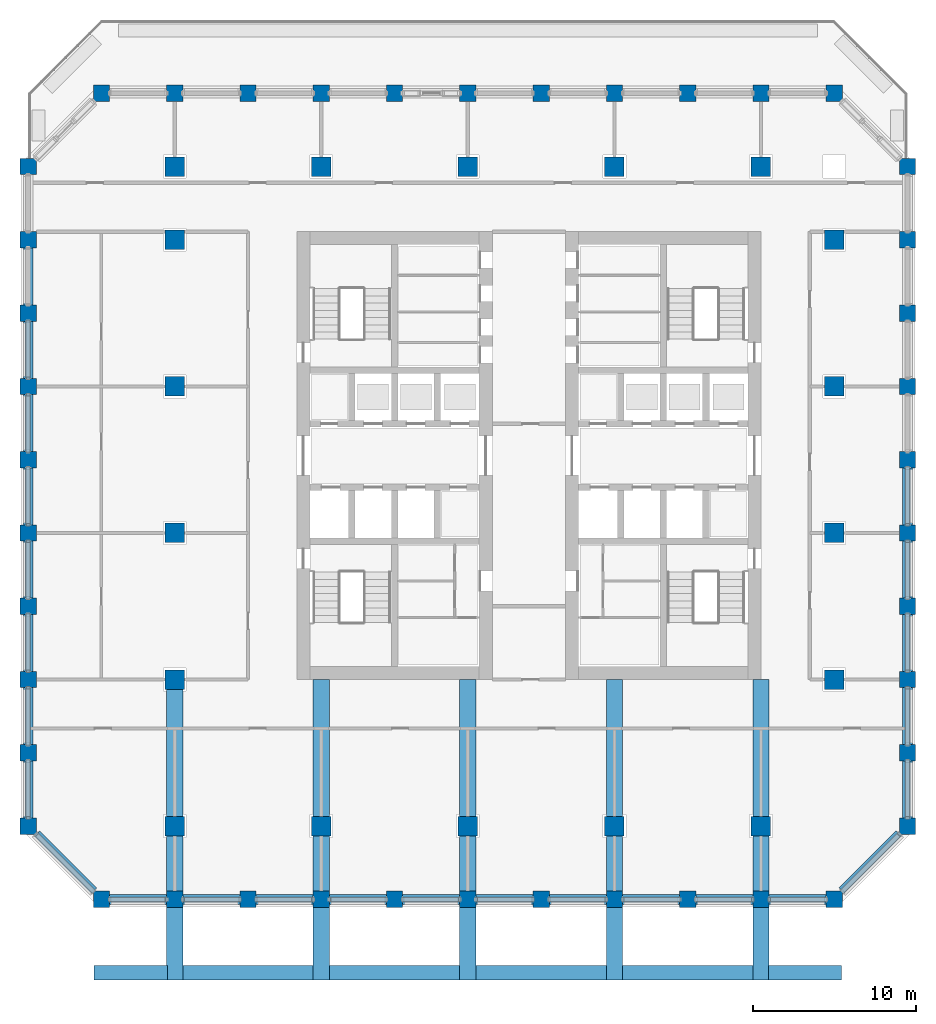
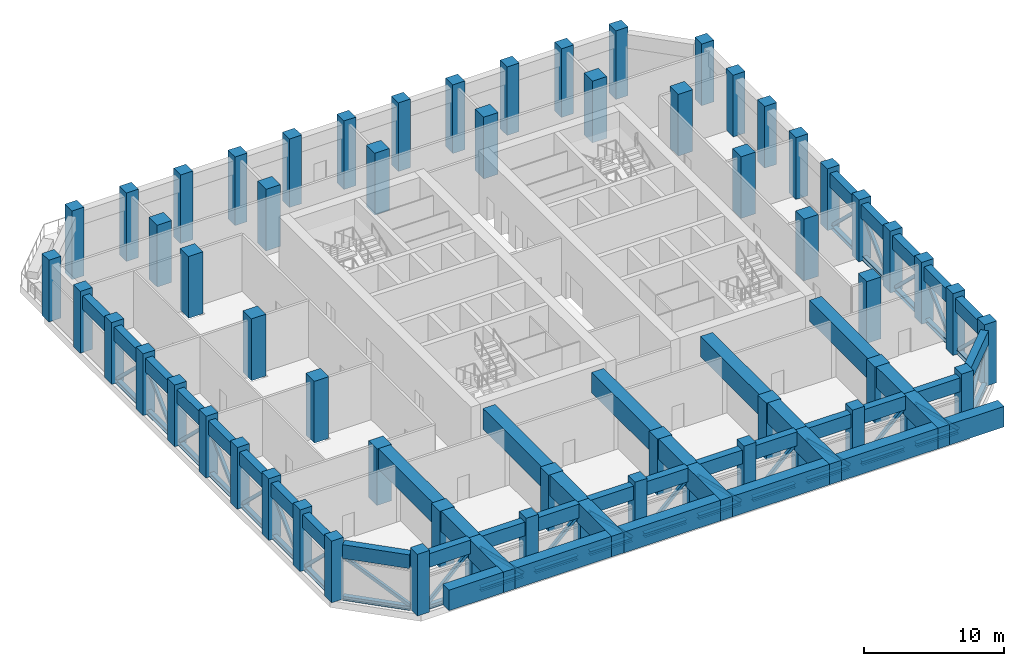
# One storey, part 1 of 20: 60 columns, 48 members, 41 beams.
"""IFC4 building model written with IfcOpenShell, lengths in metres."""

import ifcopenshell
import ifcopenshell.guid

model = None  # the IFC model being written
_history = None  # IfcOwnerHistory: only IFC2X3 demands one
_inside = {}  # id of a spatial element -> (the spatial element, [elements in it])
_under = {}  # id of a project, library or spatial element -> (it, [spatial elements below it])
_declared = {}  # id of a project -> (the project, [libraries it declares])
_typed = {}  # id of a type object -> (the type object, [elements of that type])
_made_of = {}  # id of a material, layer set ... -> (it, [elements and type objects made of it])


def new_model(schema):
    """Start an empty IFC model of exactly this schema.

    Asked for "IFC4X3", IfcOpenShell would pick the latest addendum, in which some entities
    have other attributes; the version numbers below select the first issue.
    IFC2X3 requires an IfcOwnerHistory on every rooted entity: one is made here for all.
    """
    global model, _history
    if schema == "IFC4X3":
        model = ifcopenshell.file(schema_version=(4, 3, 0, 0))
    else:
        model = ifcopenshell.file(schema=schema)
    _inside.clear()
    _under.clear()
    _declared.clear()
    _typed.clear()
    _made_of.clear()
    _history = None
    if model.schema == "IFC2X3":
        org = make("IfcOrganization", Name="unknown")
        user = make(
            "IfcPersonAndOrganization",
            ThePerson=make("IfcPerson", FamilyName="unknown"),
            TheOrganization=org,
        )
        app = make(
            "IfcApplication",
            ApplicationDeveloper=org,
            Version="unknown",
            ApplicationFullName="unknown",
            ApplicationIdentifier="unknown",
        )
        _history = make(
            "IfcOwnerHistory",
            OwningUser=user,
            OwningApplication=app,
            ChangeAction="ADDED",
            CreationDate=0,
        )
    return model


def make(cls, **values):
    """One entity of the class cls with the attributes given. An attribute that is None is left unset."""
    return model.create_entity(
        cls, **{name: value for name, value in values.items() if value is not None}
    )


def rooted(cls, **values):
    """An entity with a GlobalId (a new one), such as an element, a storey or a relation."""
    return make(cls, GlobalId=ifcopenshell.guid.new(), OwnerHistory=_history, **values)


def si_unit(unit_type, name, prefix=None):
    """IfcSIUnit, for example si_unit("LENGTHUNIT", "METRE", prefix="MILLI")."""
    return make("IfcSIUnit", UnitType=unit_type, Prefix=prefix, Name=name)


def assignment(units):
    """IfcUnitAssignment: the units of a project."""
    return None if units is None else make("IfcUnitAssignment", Units=units)


def point(xyz):
    """IfcCartesianPoint."""
    return None if xyz is None else make("IfcCartesianPoint", Coordinates=xyz)


def direction(xyz):
    """IfcDirection."""
    return None if xyz is None else make("IfcDirection", DirectionRatios=xyz)


def frame(location, z_axis=None, x_axis=None):
    """IfcAxis2Placement3D, a coordinate frame: its origin and axes. An axis left out is left unset."""
    return make(
        "IfcAxis2Placement3D",
        Location=point(location),
        Axis=direction(z_axis),
        RefDirection=direction(x_axis),
    )


def frame_2d(location, x_axis=None):
    """IfcAxis2Placement2D, a coordinate frame in the plane: its origin and x axis."""
    return make(
        "IfcAxis2Placement2D", Location=point(location), RefDirection=direction(x_axis)
    )


def origin():
    """The frame at (0, 0, 0) with its axes left unset."""
    return frame((0.0, 0.0, 0.0))


def origin_2d():
    """The frame at (0, 0) in the plane with its x axis left unset."""
    return frame_2d((0.0, 0.0))


def place(relative_to, where):
    """IfcLocalPlacement: puts the frame where relative to a parent placement (None: the world)."""
    return make(
        "IfcLocalPlacement", PlacementRelTo=relative_to, RelativePlacement=where
    )


def context(
    kind, dimensions, precision=None, world=None, true_north=None, identifier=None
):
    """IfcGeometricRepresentationContext, for example the 3D "Model" context."""
    return make(
        "IfcGeometricRepresentationContext",
        ContextIdentifier=identifier,
        ContextType=kind,
        CoordinateSpaceDimension=dimensions,
        Precision=precision,
        WorldCoordinateSystem=world,
        TrueNorth=true_north,
    )


def subcontext(parent, identifier, kind, view, scale=None):
    """IfcGeometricRepresentationSubContext, for example "Body" below "Model"."""
    return make(
        "IfcGeometricRepresentationSubContext",
        ContextIdentifier=identifier,
        ContextType=kind,
        ParentContext=parent,
        TargetScale=scale,
        TargetView=view,
    )


def project(units=None, contexts=None):
    """IfcProject with its units and contexts."""
    return rooted(
        "IfcProject",
        Name="project",
        RepresentationContexts=contexts,
        UnitsInContext=assignment(units),
    )


def spatial(cls, under=None, at=None, **own):
    """A site, building, storey or space (cls), placed at a placement, below another one or the project."""
    s = rooted(cls, ObjectPlacement=at, **own)
    if under is not None:
        _under.setdefault(under.id(), (under, []))[1].append(s)
    return s


def profile(cls, at=None, kind="AREA", **sizes):
    """A parametric profile (cls). Its sizes go by their IFC names, for example OverallWidth=200.0."""
    return make(cls, ProfileType=kind, Position=at, **sizes)


def rectangle(**sizes):
    """IfcRectangleProfileDef."""
    return profile("IfcRectangleProfileDef", **sizes)


def hollow_rectangle(**sizes):
    """IfcRectangleHollowProfileDef."""
    return profile("IfcRectangleHollowProfileDef", **sizes)


def i_section(**sizes):
    """IfcIShapeProfileDef."""
    return profile("IfcIShapeProfileDef", **sizes)


def extrude(swept, where, along, depth):
    """IfcExtrudedAreaSolid: the profile swept, set in the frame where, extruded along a direction by depth."""
    return make(
        "IfcExtrudedAreaSolid",
        SweptArea=swept,
        Position=where,
        ExtrudedDirection=direction(along),
        Depth=depth,
    )


def shape(context_of_items, identifier, shape_type, items):
    """IfcShapeRepresentation: the items that make up one representation, for example the "Body"."""
    return make(
        "IfcShapeRepresentation",
        ContextOfItems=context_of_items,
        RepresentationIdentifier=identifier,
        RepresentationType=shape_type,
        Items=items,
    )


def material(Name=None, Category=None):
    """IfcMaterial."""
    return make("IfcMaterial", Name=Name, Category=Category)


def material_profile(
    of_material, cross_section, Name=None, Category=None, Priority=None
):
    """IfcMaterialProfile: a cross section and its material."""
    return make(
        "IfcMaterialProfile",
        Name=Name,
        Material=of_material,
        Profile=cross_section,
        Priority=Priority,
        Category=Category,
    )


def profile_set(profiles, Name=None, composite=None):
    """IfcMaterialProfileSet."""
    return make(
        "IfcMaterialProfileSet",
        Name=Name,
        MaterialProfiles=profiles,
        CompositeProfile=composite,
    )


def made_of(thing, what):
    """Note that an element or type object is made of a material, layer set ...; save() writes the relation."""
    if what is not None:
        _made_of.setdefault(what.id(), (what, []))[1].append(thing)
    return thing


def type_object(cls, material=None, **own):
    """A type object (cls), such as IfcWallType, which elements share."""
    return made_of(rooted(cls, **own), material)


def element(
    cls,
    number,
    at=None,
    inside=None,
    cuts=None,
    type_object=None,
    material=None,
    context=None,
    identifier="Body",
    shape_type=None,
    held_by="IfcProductDefinitionShape",
    body=None,
    shapes=None,
    **own,
):
    """One element of the class cls, such as IfcWall. Its Tag is "e" and its number.

    at: its placement. inside: the storey or other place that contains it. cuts: it is an
    opening in that element (IfcRelVoidsElement). A single representation is given by context,
    identifier, shape_type and body (its items); several are given by shapes. held_by: the class
    of the entity that holds the representations. save() writes the other relations.
    """
    e = rooted(cls, Tag="e%d" % number, ObjectPlacement=at, **own)
    if body is not None:
        shapes = [shape(context, identifier, shape_type, body)]
    if shapes is not None:
        e.Representation = make(held_by, Representations=shapes)
    if inside is not None:
        _inside.setdefault(inside.id(), (inside, []))[1].append(e)
    if cuts is not None:
        rooted(
            "IfcRelVoidsElement", RelatingBuildingElement=cuts, RelatedOpeningElement=e
        )
    if type_object is not None:
        _typed.setdefault(type_object.id(), (type_object, []))[1].append(e)
    return made_of(e, material)


def aggregate(whole, parts):
    """IfcRelAggregates: a whole, such as a stair, and the parts it consists of."""
    return rooted("IfcRelAggregates", RelatingObject=whole, RelatedObjects=parts)


def save(model, path):
    """Write the relations noted so far, then the file.

    IfcRelAggregates (storeys below a building ...), IfcRelContainedInSpatialStructure (elements
    in a storey), IfcRelDefinesByType, IfcRelAssociatesMaterial and IfcRelDeclares: one each for
    every whole, place, type object, material and project.
    """
    for whole, parts in _under.values():
        aggregate(whole, parts)
    for where, things in _inside.values():
        rooted(
            "IfcRelContainedInSpatialStructure",
            RelatedElements=things,
            RelatingStructure=where,
        )
    for kind, things in _typed.values():
        rooted("IfcRelDefinesByType", RelatedObjects=things, RelatingType=kind)
    for what, things in _made_of.values():
        rooted("IfcRelAssociatesMaterial", RelatedObjects=things, RelatingMaterial=what)
    for by, libraries in _declared.values():
        rooted("IfcRelDeclares", RelatingContext=by, RelatedDefinitions=libraries)
    model.write(path)


model = new_model("IFC4")

# Units and contexts
model_context = context("Model", 3, precision=1e-05, world=origin(), true_north=direction((0.0, 1.0)))
body_context = subcontext(model_context, "Body", "Model", "MODEL_VIEW")
ifc_project = project(units=[si_unit("LENGTHUNIT", "METRE"), si_unit("AREAUNIT", "SQUARE_METRE"), si_unit("VOLUMEUNIT", "CUBIC_METRE"), si_unit("PLANEANGLEUNIT", "RADIAN"), si_unit("MASSUNIT", "GRAM", prefix="KILO")], contexts=[model_context])

# Site, building, storey
site_placement = place(None, origin())
site = spatial("IfcSite", under=ifc_project, at=site_placement, CompositionType="ELEMENT")
building_placement = place(site_placement, origin())
building = spatial("IfcBuilding", under=site, at=building_placement, Name="Corbel Stack Research Tower", CompositionType="ELEMENT")
storey_placement = place(building_placement, frame((0.0, 0.0, 151.39990234375)))
storey = spatial("IfcBuildingStorey", under=building, at=storey_placement, Name="L34", CompositionType="ELEMENT", Elevation=151.39990234375)

# Columns
ifc_material_1 = material(Name="Concrete C60/75", Category="concrete")
ifc_material_profile_1 = material_profile(ifc_material_1, rectangle(XDim=1.0, YDim=1.0, at=origin_2d()), Name="RC 1000 x 1000")
ifc_profile_set_1 = profile_set([ifc_material_profile_1], Name="Concrete C60/75")
column_type_1 = type_object("IfcColumnType", Name="C-1000-60", PredefinedType="COLUMN", material=ifc_profile_set_1)
for number, where, z_axis, x_axis, name in (
    (1, (-27.0, -18.0, 0.0), (0.0, 0.0, 1.0), (1.0, 0.0, 0.0), "Column 2/D L34"),
    (2, (-27.0, -13.5, 0.0), (0.0, 0.0, 1.0), (1.0, 0.0, 0.0), "Column 2/E L34"),
    (3, (-27.0, -9.0, 0.0), (0.0, 0.0, 1.0), (1.0, 0.0, 0.0), "Column 2/F L34"),
    (4, (-27.0, -4.5, 0.0), (0.0, 0.0, 1.0), (1.0, 0.0, 0.0), "Column 2/G L34"),
    (5, (-27.0, 0.0, 0.0), (0.0, 0.0, 1.0), (1.0, 0.0, 0.0), "Column 2/H L34"),
    (6, (-27.0, 4.5, 0.0), (0.0, 0.0, 1.0), (1.0, 0.0, 0.0), "Column 2/J L34"),
    (7, (-27.0, 9.0, 0.0), (0.0, 0.0, 1.0), (1.0, 0.0, 0.0), "Column 2/K L34"),
    (8, (-27.0, 13.5, 0.0), (0.0, 0.0, 1.0), (1.0, 0.0, 0.0), "Column 2/L L34"),
    (9, (-27.0, 18.0, 0.0), (0.0, 0.0, 1.0), (1.0, 0.0, 0.0), "Column 2/M L34"),
    (10, (-27.0, 22.5, 0.0), (0.0, 0.0, 1.0), (1.0, 0.0, 0.0), "Column 2/N L34"),
    (11, (-22.5, -22.5, 0.0), (0.0, 0.0, 1.0), (1.0, 0.0, 0.0), "Column 3/C L34"),
):
    element("IfcColumn", number, at=place(storey_placement, frame(where, z_axis=z_axis, x_axis=x_axis)), inside=storey, type_object=column_type_1, Name=name, PredefinedType="COLUMN", context=body_context, shape_type="SweptSolid", body=[
        extrude(rectangle(XDim=1.0, YDim=1.0, at=origin_2d()), origin(), (0.0, 0.0, 1.0), 5.400146484375),
    ])
for number, where, z_axis, x_axis, name in (
    (12, (-22.5, 27.0, -0.599853515625), (0.0, 0.0, 1.0), (1.0, 0.0, 0.0), "Column 3/P L34"),
    (13, (-18.0, 27.0, -0.599853515625), (0.0, 0.0, 1.0), (1.0, 0.0, 0.0), "Column 4/P L34"),
):
    element("IfcColumn", number, at=place(storey_placement, frame(where, z_axis=z_axis, x_axis=x_axis)), inside=storey, type_object=column_type_1, Name=name, PredefinedType="COLUMN", context=body_context, shape_type="SweptSolid", body=[
        extrude(rectangle(XDim=1.0, YDim=1.0, at=origin_2d()), origin(), (0.0, 0.0, 1.0), 6.0),
    ])
column_1_placement = place(storey_placement, frame((-13.5, -22.5, 0.0), z_axis=(0.0, 0.0, 1.0), x_axis=(1.0, 0.0, 0.0)))
element("IfcColumn", 14, at=column_1_placement, inside=storey, type_object=column_type_1, Name="Column 5/C L34", PredefinedType="COLUMN", context=body_context, shape_type="SweptSolid", body=[
    extrude(rectangle(XDim=1.0, YDim=1.0, at=origin_2d()), origin(), (0.0, 0.0, 1.0), 5.400146484375),
])
for number, where, z_axis, x_axis, name in (
    (15, (-13.5, 27.0, -0.599853515625), (0.0, 0.0, 1.0), (1.0, 0.0, 0.0), "Column 5/P L34"),
    (16, (-9.0, 27.0, -0.599853515625), (0.0, 0.0, 1.0), (1.0, 0.0, 0.0), "Column 6/P L34"),
):
    element("IfcColumn", number, at=place(storey_placement, frame(where, z_axis=z_axis, x_axis=x_axis)), inside=storey, type_object=column_type_1, Name=name, PredefinedType="COLUMN", context=body_context, shape_type="SweptSolid", body=[
        extrude(rectangle(XDim=1.0, YDim=1.0, at=origin_2d()), origin(), (0.0, 0.0, 1.0), 6.0),
    ])
column_2_placement = place(storey_placement, frame((-4.5, -22.5, 0.0), z_axis=(0.0, 0.0, 1.0), x_axis=(1.0, 0.0, 0.0)))
element("IfcColumn", 17, at=column_2_placement, inside=storey, type_object=column_type_1, Name="Column 7/C L34", PredefinedType="COLUMN", context=body_context, shape_type="SweptSolid", body=[
    extrude(rectangle(XDim=1.0, YDim=1.0, at=origin_2d()), origin(), (0.0, 0.0, 1.0), 5.400146484375),
])
for number, where, z_axis, x_axis, name in (
    (18, (-4.5, 27.0, -0.599853515625), (0.0, 0.0, 1.0), (1.0, 0.0, 0.0), "Column 7/P L34"),
    (19, (0.0, 27.0, -0.599853515625), (0.0, 0.0, 1.0), (1.0, 0.0, 0.0), "Column 8/P L34"),
):
    element("IfcColumn", number, at=place(storey_placement, frame(where, z_axis=z_axis, x_axis=x_axis)), inside=storey, type_object=column_type_1, Name=name, PredefinedType="COLUMN", context=body_context, shape_type="SweptSolid", body=[
        extrude(rectangle(XDim=1.0, YDim=1.0, at=origin_2d()), origin(), (0.0, 0.0, 1.0), 6.0),
    ])
column_3_placement = place(storey_placement, frame((4.5, -22.5, 0.0), z_axis=(0.0, 0.0, 1.0), x_axis=(1.0, 0.0, 0.0)))
element("IfcColumn", 20, at=column_3_placement, inside=storey, type_object=column_type_1, Name="Column 9/C L34", PredefinedType="COLUMN", context=body_context, shape_type="SweptSolid", body=[
    extrude(rectangle(XDim=1.0, YDim=1.0, at=origin_2d()), origin(), (0.0, 0.0, 1.0), 5.400146484375),
])
for number, where, z_axis, x_axis, name in (
    (21, (4.5, 27.0, -0.599853515625), (0.0, 0.0, 1.0), (1.0, 0.0, 0.0), "Column 9/P L34"),
    (22, (9.0, 27.0, -0.599853515625), (0.0, 0.0, 1.0), (1.0, 0.0, 0.0), "Column 10/P L34"),
):
    element("IfcColumn", number, at=place(storey_placement, frame(where, z_axis=z_axis, x_axis=x_axis)), inside=storey, type_object=column_type_1, Name=name, PredefinedType="COLUMN", context=body_context, shape_type="SweptSolid", body=[
        extrude(rectangle(XDim=1.0, YDim=1.0, at=origin_2d()), origin(), (0.0, 0.0, 1.0), 6.0),
    ])
column_4_placement = place(storey_placement, frame((13.5, -22.5, 0.0), z_axis=(0.0, 0.0, 1.0), x_axis=(1.0, 0.0, 0.0)))
element("IfcColumn", 23, at=column_4_placement, inside=storey, type_object=column_type_1, Name="Column 11/C L34", PredefinedType="COLUMN", context=body_context, shape_type="SweptSolid", body=[
    extrude(rectangle(XDim=1.0, YDim=1.0, at=origin_2d()), origin(), (0.0, 0.0, 1.0), 5.400146484375),
])
for number, where, z_axis, x_axis, name in (
    (24, (13.5, 27.0, -0.599853515625), (0.0, 0.0, 1.0), (1.0, 0.0, 0.0), "Column 11/P L34"),
    (25, (18.0, 27.0, -0.599853515625), (0.0, 0.0, 1.0), (1.0, 0.0, 0.0), "Column 12/P L34"),
):
    element("IfcColumn", number, at=place(storey_placement, frame(where, z_axis=z_axis, x_axis=x_axis)), inside=storey, type_object=column_type_1, Name=name, PredefinedType="COLUMN", context=body_context, shape_type="SweptSolid", body=[
        extrude(rectangle(XDim=1.0, YDim=1.0, at=origin_2d()), origin(), (0.0, 0.0, 1.0), 6.0),
    ])
column_5_placement = place(storey_placement, frame((22.5, -22.5, 0.0), z_axis=(0.0, 0.0, 1.0), x_axis=(1.0, 0.0, 0.0)))
element("IfcColumn", 26, at=column_5_placement, inside=storey, type_object=column_type_1, Name="Column 13/C L34", PredefinedType="COLUMN", context=body_context, shape_type="SweptSolid", body=[
    extrude(rectangle(XDim=1.0, YDim=1.0, at=origin_2d()), origin(), (0.0, 0.0, 1.0), 5.400146484375),
])
column_6_placement = place(storey_placement, frame((22.5, 27.0, -0.599853515625), z_axis=(0.0, 0.0, 1.0), x_axis=(1.0, 0.0, 0.0)))
element("IfcColumn", 27, at=column_6_placement, inside=storey, type_object=column_type_1, Name="Column 13/P L34", PredefinedType="COLUMN", context=body_context, shape_type="SweptSolid", body=[
    extrude(rectangle(XDim=1.0, YDim=1.0, at=origin_2d()), origin(), (0.0, 0.0, 1.0), 6.0),
])
for number, where, z_axis, x_axis, name in (
    (28, (27.0, -18.0, 0.0), (0.0, 0.0, 1.0), (1.0, 0.0, 0.0), "Column 14/D L34"),
    (29, (27.0, -13.5, 0.0), (0.0, 0.0, 1.0), (1.0, 0.0, 0.0), "Column 14/E L34"),
    (30, (27.0, -9.0, 0.0), (0.0, 0.0, 1.0), (1.0, 0.0, 0.0), "Column 14/F L34"),
    (31, (27.0, -4.5, 0.0), (0.0, 0.0, 1.0), (1.0, 0.0, 0.0), "Column 14/G L34"),
    (32, (27.0, 0.0, 0.0), (0.0, 0.0, 1.0), (1.0, 0.0, 0.0), "Column 14/H L34"),
    (33, (27.0, 4.5, 0.0), (0.0, 0.0, 1.0), (1.0, 0.0, 0.0), "Column 14/J L34"),
    (34, (27.0, 9.0, 0.0), (0.0, 0.0, 1.0), (1.0, 0.0, 0.0), "Column 14/K L34"),
    (35, (27.0, 13.5, 0.0), (0.0, 0.0, 1.0), (1.0, 0.0, 0.0), "Column 14/L L34"),
    (36, (27.0, 18.0, 0.0), (0.0, 0.0, 1.0), (1.0, 0.0, 0.0), "Column 14/M L34"),
    (37, (27.0, 22.5, 0.0), (0.0, 0.0, 1.0), (1.0, 0.0, 0.0), "Column 14/N L34"),
):
    element("IfcColumn", number, at=place(storey_placement, frame(where, z_axis=z_axis, x_axis=x_axis)), inside=storey, type_object=column_type_1, Name=name, PredefinedType="COLUMN", context=body_context, shape_type="SweptSolid", body=[
        extrude(rectangle(XDim=1.0, YDim=1.0, at=origin_2d()), origin(), (0.0, 0.0, 1.0), 5.400146484375),
    ])
ifc_material_2 = material(Name="Concrete C60/75", Category="concrete")
ifc_material_profile_2 = material_profile(ifc_material_2, rectangle(XDim=1.199951171875, YDim=1.199951171875, at=origin_2d()), Name="RC 1200 x 1200")
ifc_profile_set_2 = profile_set([ifc_material_profile_2], Name="Concrete C60/75")
column_type_2 = type_object("IfcColumnType", Name="C-1200-60", PredefinedType="COLUMN", material=ifc_profile_set_2)
for number, where, z_axis, x_axis, name in (
    (38, (-18.0, 0.0, 0.0), (0.0, 0.0, 1.0), (1.0, 0.0, 0.0), "Column 4/H L34"),
    (39, (-18.0, 9.0, 0.0), (0.0, 0.0, 1.0), (1.0, 0.0, 0.0), "Column 4/K L34"),
    (40, (-18.0, 18.0, 0.0), (0.0, 0.0, 1.0), (1.0, 0.0, 0.0), "Column 4/M L34"),
    (41, (-18.0, 22.5, 0.0), (0.0, 0.0, 1.0), (1.0, 0.0, 0.0), "Column 4/N L34"),
    (42, (-9.0, 22.5, 0.0), (0.0, 0.0, 1.0), (1.0, 0.0, 0.0), "Column 6/N L34"),
    (43, (0.0, 22.5, 0.0), (0.0, 0.0, 1.0), (1.0, 0.0, 0.0), "Column 8/N L34"),
    (44, (9.0, 22.5, 0.0), (0.0, 0.0, 1.0), (1.0, 0.0, 0.0), "Column 10/N L34"),
    (45, (18.0, 22.5, 0.0), (0.0, 0.0, 1.0), (1.0, 0.0, 0.0), "Column 12/N L34"),
    (46, (22.5, -9.0, 0.0), (0.0, 0.0, 1.0), (1.0, 0.0, 0.0), "Column 13/F L34"),
    (47, (22.5, 0.0, 0.0), (0.0, 0.0, 1.0), (1.0, 0.0, 0.0), "Column 13/H L34"),
    (48, (22.5, 9.0, 0.0), (0.0, 0.0, 1.0), (1.0, 0.0, 0.0), "Column 13/K L34"),
    (49, (22.5, 18.0, 0.0), (0.0, 0.0, 1.0), (1.0, 0.0, 0.0), "Column 13/M L34"),
):
    element("IfcColumn", number, at=place(storey_placement, frame(where, z_axis=z_axis, x_axis=x_axis)), inside=storey, type_object=column_type_2, Name=name, PredefinedType="COLUMN", context=body_context, shape_type="SweptSolid", body=[
        extrude(rectangle(XDim=1.199951171875, YDim=1.199951171875, at=origin_2d()), origin(), (0.0, 0.0, 1.0), 5.400146484375),
    ])
ifc_material_3 = material(Name="Concrete C60/75", Category="concrete")
ifc_material_profile_3 = material_profile(ifc_material_3, rectangle(XDim=1.0, YDim=1.0, at=origin_2d()), Name="RC 1000 x 1000")
ifc_profile_set_3 = profile_set([ifc_material_profile_3], Name="Concrete C60/75")
column_type_3 = type_object("IfcColumnType", Name="CG-1000-60-2250", PredefinedType="COLUMN", material=ifc_profile_set_3)
for number, where, z_axis, x_axis, name in (
    (50, (-18.0, -22.5, 0.0), (0.0, 0.0, 1.0), (1.0, 0.0, 0.0), "Column 4/C L34"),
    (51, (-9.0, -22.5, 0.0), (0.0, 0.0, 1.0), (1.0, 0.0, 0.0), "Column 6/C L34"),
    (52, (0.0, -22.5, 0.0), (0.0, 0.0, 1.0), (1.0, 0.0, 0.0), "Column 8/C L34"),
    (53, (9.0, -22.5, 0.0), (0.0, 0.0, 1.0), (1.0, 0.0, 0.0), "Column 10/C L34"),
    (54, (18.0, -22.5, 0.0), (0.0, 0.0, 1.0), (1.0, 0.0, 0.0), "Column 12/C L34"),
):
    element("IfcColumn", number, at=place(storey_placement, frame(where, z_axis=z_axis, x_axis=x_axis)), inside=storey, type_object=column_type_3, Name=name, PredefinedType="COLUMN", context=body_context, shape_type="SweptSolid", body=[
        extrude(rectangle(XDim=1.0, YDim=1.0, at=origin_2d()), origin(), (0.0, 0.0, 1.0), 3.150146484375),
    ])
ifc_material_4 = material(Name="Concrete C60/75", Category="concrete")
ifc_material_profile_4 = material_profile(ifc_material_4, rectangle(XDim=1.199951171875, YDim=1.199951171875, at=origin_2d()), Name="RC 1200 x 1200")
ifc_profile_set_4 = profile_set([ifc_material_profile_4], Name="Concrete C60/75")
column_type_4 = type_object("IfcColumnType", Name="CG-1200-60-450", PredefinedType="COLUMN", material=ifc_profile_set_4)
for number, where, z_axis, x_axis, name in (
    (55, (-18.0, -18.0, 0.0), (0.0, 0.0, 1.0), (1.0, 0.0, 0.0), "Column 4/D L34"),
    (56, (-18.0, -9.0, 0.0), (0.0, 0.0, 1.0), (1.0, 0.0, 0.0), "Column 4/F L34"),
    (57, (-9.0, -18.0, 0.0), (0.0, 0.0, 1.0), (1.0, 0.0, 0.0), "Column 6/D L34"),
    (58, (0.0, -18.0, 0.0), (0.0, 0.0, 1.0), (1.0, 0.0, 0.0), "Column 8/D L34"),
    (59, (9.0, -18.0, 0.0), (0.0, 0.0, 1.0), (1.0, 0.0, 0.0), "Column 10/D L34"),
    (60, (18.0, -18.0, 0.0), (0.0, 0.0, 1.0), (1.0, 0.0, 0.0), "Column 12/D L34"),
):
    element("IfcColumn", number, at=place(storey_placement, frame(where, z_axis=z_axis, x_axis=x_axis)), inside=storey, type_object=column_type_4, Name=name, PredefinedType="COLUMN", context=body_context, shape_type="SweptSolid", body=[
        extrude(rectangle(XDim=1.199951171875, YDim=1.199951171875, at=origin_2d()), origin(), (0.0, 0.0, 1.0), 4.9501953125),
    ])

# Members
ifc_material_5 = material(Name="Steel S355", Category="steel")
ifc_material_profile_5 = material_profile(ifc_material_5, i_section(OverallWidth=0.368896484375, OverallDepth=0.35595703125, WebThickness=0.010986328125, FlangeThickness=0.01806640625, at=origin_2d()), Name="W14x90")
ifc_profile_set_5 = profile_set([ifc_material_profile_5], Name="Steel S355")
member_type_1 = type_object("IfcMemberType", Name="BC-90", PredefinedType="CHORD", material=ifc_profile_set_5)
for number, where, z_axis, x_axis, name in (
    (61, (-22.0, -22.5, 0.177978515625), (1.0, 0.0, 0.0), (0.0, 1.0, 0.0), "Belt truss chord L34-01"),
    (62, (-17.5, -22.5, 0.177978515625), (1.0, 0.0, 0.0), (0.0, 1.0, 0.0), "Belt truss chord L34-02"),
    (63, (-13.0, -22.5, 0.177978515625), (1.0, 0.0, 0.0), (0.0, 1.0, 0.0), "Belt truss chord L34-03"),
    (64, (-8.5, -22.5, 0.177978515625), (1.0, 0.0, 0.0), (0.0, 1.0, 0.0), "Belt truss chord L34-04"),
    (65, (-4.0, -22.5, 0.177978515625), (1.0, 0.0, 0.0), (0.0, 1.0, 0.0), "Belt truss chord L34-05"),
    (66, (0.5, -22.5, 0.177978515625), (1.0, 0.0, 0.0), (0.0, 1.0, 0.0), "Belt truss chord L34-06"),
    (67, (5.0, -22.5, 0.177978515625), (1.0, 0.0, 0.0), (0.0, 1.0, 0.0), "Belt truss chord L34-07"),
    (68, (9.5, -22.5, 0.177978515625), (1.0, 0.0, 0.0), (0.0, 1.0, 0.0), "Belt truss chord L34-08"),
    (69, (14.0, -22.5, 0.177978515625), (1.0, 0.0, 0.0), (0.0, 1.0, 0.0), "Belt truss chord L34-09"),
    (70, (18.5, -22.5, 0.177978515625), (1.0, 0.0, 0.0), (0.0, 1.0, 0.0), "Belt truss chord L34-10"),
):
    element("IfcMember", number, at=place(storey_placement, frame(where, z_axis=z_axis, x_axis=x_axis)), inside=storey, type_object=member_type_1, Name=name, PredefinedType="CHORD", context=body_context, shape_type="SweptSolid", body=[
        extrude(i_section(OverallWidth=0.368896484375, OverallDepth=0.35595703125, WebThickness=0.010986328125, FlangeThickness=0.01806640625, at=origin_2d()), origin(), (0.0, 0.0, 1.0), 3.5),
    ])
member_1_placement = place(storey_placement, frame((23.0, -22.0, 0.177978515625), z_axis=(0.707106781187, 0.707106781187, 0.0), x_axis=(-0.707106781187, 0.707106781187, 0.0)))
element("IfcMember", 71, at=member_1_placement, inside=storey, type_object=member_type_1, Name="Belt truss chord L34-11", PredefinedType="CHORD", context=body_context, shape_type="SweptSolid", body=[
    extrude(i_section(OverallWidth=0.368896484375, OverallDepth=0.35595703125, WebThickness=0.010986328125, FlangeThickness=0.01806640625, at=origin_2d()), origin(), (0.0, 0.0, 1.0), 4.94970703125),
])
for number, where, z_axis, x_axis, name in (
    (72, (27.0, -17.5, 0.177978515625), (0.0, 1.0, 0.0), (-1.0, 0.0, 0.0), "Belt truss chord L34-12"),
    (73, (27.0, -13.0, 0.177978515625), (0.0, 1.0, 0.0), (-1.0, 0.0, 0.0), "Belt truss chord L34-13"),
    (74, (27.0, -8.5, 0.177978515625), (0.0, 1.0, 0.0), (-1.0, 0.0, 0.0), "Belt truss chord L34-14"),
    (75, (27.0, -4.0, 0.177978515625), (0.0, 1.0, 0.0), (-1.0, 0.0, 0.0), "Belt truss chord L34-15"),
    (76, (27.0, 0.5, 0.177978515625), (0.0, 1.0, 0.0), (-1.0, 0.0, 0.0), "Belt truss chord L34-16"),
    (77, (-27.0, 13.0, 0.177978515625), (0.0, -1.0, 0.0), (1.0, 0.0, 0.0), "Belt truss chord L34-35"),
    (78, (-27.0, 8.5, 0.177978515625), (0.0, -1.0, 0.0), (1.0, 0.0, 0.0), "Belt truss chord L34-36"),
    (79, (-27.0, 4.0, 0.177978515625), (0.0, -1.0, 0.0), (1.0, 0.0, 0.0), "Belt truss chord L34-37"),
    (80, (-27.0, -0.5, 0.177978515625), (0.0, -1.0, 0.0), (1.0, 0.0, 0.0), "Belt truss chord L34-38"),
    (81, (-27.0, -5.0, 0.177978515625), (0.0, -1.0, 0.0), (1.0, 0.0, 0.0), "Belt truss chord L34-39"),
    (82, (-27.0, -9.5, 0.177978515625), (0.0, -1.0, 0.0), (1.0, 0.0, 0.0), "Belt truss chord L34-40"),
    (83, (-27.0, -14.0, 0.177978515625), (0.0, -1.0, 0.0), (1.0, 0.0, 0.0), "Belt truss chord L34-41"),
):
    element("IfcMember", number, at=place(storey_placement, frame(where, z_axis=z_axis, x_axis=x_axis)), inside=storey, type_object=member_type_1, Name=name, PredefinedType="CHORD", context=body_context, shape_type="SweptSolid", body=[
        extrude(i_section(OverallWidth=0.368896484375, OverallDepth=0.35595703125, WebThickness=0.010986328125, FlangeThickness=0.01806640625, at=origin_2d()), origin(), (0.0, 0.0, 1.0), 3.5),
    ])
member_2_placement = place(storey_placement, frame((-26.5, -18.5, 0.177978515625), z_axis=(0.707106781187, -0.707106781187, 0.0), x_axis=(0.707106781187, 0.707106781187, 0.0)))
element("IfcMember", 84, at=member_2_placement, inside=storey, type_object=member_type_1, Name="Belt truss chord L34-42", PredefinedType="CHORD", context=body_context, shape_type="SweptSolid", body=[
    extrude(i_section(OverallWidth=0.368896484375, OverallDepth=0.35595703125, WebThickness=0.010986328125, FlangeThickness=0.01806640625, at=origin_2d()), origin(), (0.0, 0.0, 1.0), 4.94970703125),
])
ifc_material_6 = material(Name="Steel S355", Category="steel")
ifc_material_profile_6 = material_profile(ifc_material_6, hollow_rectangle(XDim=0.25390625, YDim=0.25390625, WallThickness=0.01171875, at=origin_2d()), Name="HSS10x10x1/2")
ifc_profile_set_6 = profile_set([ifc_material_profile_6], Name="Steel S355")
member_type_2 = type_object("IfcMemberType", Name="BD-10", PredefinedType="BRACE", material=ifc_profile_set_6)
for number, where, z_axis, x_axis, name in (
    (85, (-22.0, -22.5, 0.356201171875), (0.7179148028, 0.0, 0.696130976125), (0.0, 1.0, 0.0), "Belt truss diagonal L34-01"),
    (86, (-14.0, -22.5, 0.356201171875), (-0.7179148028, 0.0, 0.696130976125), (0.0, -1.0, 0.0), "Belt truss diagonal L34-02"),
    (87, (-13.0, -22.5, 0.356201171875), (0.7179148028, 0.0, 0.696130976125), (0.0, 1.0, 0.0), "Belt truss diagonal L34-03"),
    (88, (-5.0, -22.5, 0.356201171875), (-0.7179148028, 0.0, 0.696130976125), (0.0, -1.0, 0.0), "Belt truss diagonal L34-04"),
    (89, (-4.0, -22.5, 0.356201171875), (0.7179148028, 0.0, 0.696130976125), (0.0, 1.0, 0.0), "Belt truss diagonal L34-05"),
    (90, (4.0, -22.5, 0.356201171875), (-0.7179148028, 0.0, 0.696130976125), (0.0, -1.0, 0.0), "Belt truss diagonal L34-06"),
    (91, (5.0, -22.5, 0.356201171875), (0.7179148028, 0.0, 0.696130976125), (0.0, 1.0, 0.0), "Belt truss diagonal L34-07"),
    (92, (13.0, -22.5, 0.356201171875), (-0.7179148028, 0.0, 0.696130976125), (0.0, -1.0, 0.0), "Belt truss diagonal L34-08"),
    (93, (14.0, -22.5, 0.356201171875), (0.7179148028, 0.0, 0.696130976125), (0.0, 1.0, 0.0), "Belt truss diagonal L34-09"),
    (94, (22.0, -22.5, 0.356201171875), (-0.7179148028, 0.0, 0.696130976125), (0.0, -1.0, 0.0), "Belt truss diagonal L34-10"),
):
    element("IfcMember", number, at=place(storey_placement, frame(where, z_axis=z_axis, x_axis=x_axis)), inside=storey, type_object=member_type_2, Name=name, PredefinedType="BRACE", context=body_context, shape_type="SweptSolid", body=[
        extrude(hollow_rectangle(XDim=0.25390625, YDim=0.25390625, WallThickness=0.01171875, at=origin_2d()), origin(), (0.0, 0.0, 1.0), 4.875244140625),
    ])
member_3_placement = place(storey_placement, frame((23.0, -22.0, 0.356201171875), z_axis=(0.583188603186, 0.583188603186, 0.565492799448), x_axis=(-0.707106781187, 0.707106781187, 0.0)))
element("IfcMember", 95, at=member_3_placement, inside=storey, type_object=member_type_2, Name="Belt truss diagonal L34-11", PredefinedType="BRACE", context=body_context, shape_type="SweptSolid", body=[
    extrude(hollow_rectangle(XDim=0.25390625, YDim=0.25390625, WallThickness=0.01171875, at=origin_2d()), origin(), (0.0, 0.0, 1.0), 6.00146484375),
])
for number, where, z_axis, x_axis, name in (
    (96, (27.0, -14.0, 0.356201171875), (0.0, -0.7179148028, 0.696130976125), (1.0, 0.0, 0.0), "Belt truss diagonal L34-12"),
    (97, (27.0, -13.0, 0.356201171875), (0.0, 0.7179148028, 0.696130976125), (-1.0, 0.0, 0.0), "Belt truss diagonal L34-13"),
    (98, (27.0, -5.0, 0.356201171875), (0.0, -0.7179148028, 0.696130976125), (1.0, 0.0, 0.0), "Belt truss diagonal L34-14"),
    (99, (27.0, -4.0, 0.356201171875), (0.0, 0.7179148028, 0.696130976125), (-1.0, 0.0, 0.0), "Belt truss diagonal L34-15"),
    (100, (27.0, 4.0, 0.356201171875), (0.0, -0.7179148028, 0.696130976125), (1.0, 0.0, 0.0), "Belt truss diagonal L34-16"),
    (101, (-27.0, 13.0, 0.356201171875), (0.0, -0.7179148028, 0.696130976125), (1.0, 0.0, 0.0), "Belt truss diagonal L34-35"),
    (102, (-27.0, 5.0, 0.356201171875), (0.0, 0.7179148028, 0.696130976125), (-1.0, 0.0, 0.0), "Belt truss diagonal L34-36"),
    (103, (-27.0, 4.0, 0.356201171875), (0.0, -0.7179148028, 0.696130976125), (1.0, 0.0, 0.0), "Belt truss diagonal L34-37"),
    (104, (-27.0, -4.0, 0.356201171875), (0.0, 0.7179148028, 0.696130976125), (-1.0, 0.0, 0.0), "Belt truss diagonal L34-38"),
    (105, (-27.0, -5.0, 0.356201171875), (0.0, -0.7179148028, 0.696130976125), (1.0, 0.0, 0.0), "Belt truss diagonal L34-39"),
    (106, (-27.0, -13.0, 0.356201171875), (0.0, 0.7179148028, 0.696130976125), (-1.0, 0.0, 0.0), "Belt truss diagonal L34-40"),
    (107, (-27.0, -14.0, 0.356201171875), (0.0, -0.7179148028, 0.696130976125), (1.0, 0.0, 0.0), "Belt truss diagonal L34-41"),
):
    element("IfcMember", number, at=place(storey_placement, frame(where, z_axis=z_axis, x_axis=x_axis)), inside=storey, type_object=member_type_2, Name=name, PredefinedType="BRACE", context=body_context, shape_type="SweptSolid", body=[
        extrude(hollow_rectangle(XDim=0.25390625, YDim=0.25390625, WallThickness=0.01171875, at=origin_2d()), origin(), (0.0, 0.0, 1.0), 4.875244140625),
    ])
member_4_placement = place(storey_placement, frame((-23.0, -22.0, 0.356201171875), z_axis=(-0.583188603186, 0.583188603186, 0.565492799448), x_axis=(-0.707106781187, -0.707106781187, 0.0)))
element("IfcMember", 108, at=member_4_placement, inside=storey, type_object=member_type_2, Name="Belt truss diagonal L34-42", PredefinedType="BRACE", context=body_context, shape_type="SweptSolid", body=[
    extrude(hollow_rectangle(XDim=0.25390625, YDim=0.25390625, WallThickness=0.01171875, at=origin_2d()), origin(), (0.0, 0.0, 1.0), 6.00146484375),
])

# Beams
ifc_material_7 = material(Name="Concrete C60/75", Category="concrete")
ifc_material_profile_7 = material_profile(ifc_material_7, rectangle(XDim=0.60009765625, YDim=1.199951171875, at=origin_2d()), Name="RC 600 x 1200")
ifc_profile_set_7 = profile_set([ifc_material_profile_7], Name="Concrete C60/75")
beam_type_1 = type_object("IfcBeamType", Name="SB-600-1200-450", PredefinedType="SPANDREL", material=ifc_profile_set_7)
for number, where, z_axis, x_axis, name in (
    (109, (-22.0, -22.5, 4.35009765625), (1.0, 0.0, 0.0), (0.0, 1.0, 0.0), "Spandrel beam L34-01"),
    (110, (-17.550048828125, -22.5, 4.35009765625), (1.0, 0.0, 0.0), (0.0, 1.0, 0.0), "Spandrel beam L34-02"),
    (111, (-13.0, -22.5, 4.35009765625), (1.0, 0.0, 0.0), (0.0, 1.0, 0.0), "Spandrel beam L34-03"),
    (112, (-8.550048828125, -22.5, 4.35009765625), (1.0, 0.0, 0.0), (0.0, 1.0, 0.0), "Spandrel beam L34-04"),
    (113, (-4.0, -22.5, 4.35009765625), (1.0, 0.0, 0.0), (0.0, 1.0, 0.0), "Spandrel beam L34-05"),
    (114, (0.449951171875, -22.5, 4.35009765625), (1.0, 0.0, 0.0), (0.0, 1.0, 0.0), "Spandrel beam L34-06"),
    (115, (5.0, -22.5, 4.35009765625), (1.0, 0.0, 0.0), (0.0, 1.0, 0.0), "Spandrel beam L34-07"),
    (116, (9.449951171875, -22.5, 4.35009765625), (1.0, 0.0, 0.0), (0.0, 1.0, 0.0), "Spandrel beam L34-08"),
    (117, (14.0, -22.5, 4.35009765625), (1.0, 0.0, 0.0), (0.0, 1.0, 0.0), "Spandrel beam L34-09"),
    (118, (18.449951171875, -22.5, 4.35009765625), (1.0, 0.0, 0.0), (0.0, 1.0, 0.0), "Spandrel beam L34-10"),
):
    element("IfcBeam", number, at=place(storey_placement, frame(where, z_axis=z_axis, x_axis=x_axis)), inside=storey, type_object=beam_type_1, Name=name, PredefinedType="SPANDREL", context=body_context, shape_type="SweptSolid", body=[
        extrude(rectangle(XDim=0.60009765625, YDim=1.199951171875, at=origin_2d()), origin(), (0.0, 0.0, 1.0), 3.550048828125),
    ])
beam_1_placement = place(storey_placement, frame((23.0, -22.0, 4.35009765625), z_axis=(0.707106781187, 0.707106781187, 0.0), x_axis=(-0.707106781187, 0.707106781187, 0.0)))
element("IfcBeam", 119, at=beam_1_placement, inside=storey, type_object=beam_type_1, Name="Spandrel beam L34-11", PredefinedType="SPANDREL", context=body_context, shape_type="SweptSolid", body=[
    extrude(rectangle(XDim=0.60009765625, YDim=1.199951171875, at=origin_2d()), origin(), (0.0, 0.0, 1.0), 4.94970703125),
])
for number, where, z_axis, x_axis, name in (
    (120, (27.0, -17.5, 4.35009765625), (0.0, 1.0, 0.0), (-1.0, 0.0, 0.0), "Spandrel beam L34-12"),
    (121, (27.0, -13.0, 4.35009765625), (0.0, 1.0, 0.0), (-1.0, 0.0, 0.0), "Spandrel beam L34-13"),
    (122, (27.0, -8.5, 4.35009765625), (0.0, 1.0, 0.0), (-1.0, 0.0, 0.0), "Spandrel beam L34-14"),
    (123, (27.0, -4.0, 4.35009765625), (0.0, 1.0, 0.0), (-1.0, 0.0, 0.0), "Spandrel beam L34-15"),
    (124, (27.0, 0.5, 4.35009765625), (0.0, 1.0, 0.0), (-1.0, 0.0, 0.0), "Spandrel beam L34-16"),
    (125, (-27.0, 17.5, 4.35009765625), (0.0, -1.0, 0.0), (1.0, 0.0, 0.0), "Spandrel beam L34-34"),
    (126, (-27.0, 13.0, 4.35009765625), (0.0, -1.0, 0.0), (1.0, 0.0, 0.0), "Spandrel beam L34-35"),
    (127, (-27.0, 8.5, 4.35009765625), (0.0, -1.0, 0.0), (1.0, 0.0, 0.0), "Spandrel beam L34-36"),
    (128, (-27.0, 4.0, 4.35009765625), (0.0, -1.0, 0.0), (1.0, 0.0, 0.0), "Spandrel beam L34-37"),
    (129, (-27.0, -0.5, 4.35009765625), (0.0, -1.0, 0.0), (1.0, 0.0, 0.0), "Spandrel beam L34-38"),
    (130, (-27.0, -5.0, 4.35009765625), (0.0, -1.0, 0.0), (1.0, 0.0, 0.0), "Spandrel beam L34-39"),
    (131, (-27.0, -9.5, 4.35009765625), (0.0, -1.0, 0.0), (1.0, 0.0, 0.0), "Spandrel beam L34-40"),
    (132, (-27.0, -14.0, 4.35009765625), (0.0, -1.0, 0.0), (1.0, 0.0, 0.0), "Spandrel beam L34-41"),
):
    element("IfcBeam", number, at=place(storey_placement, frame(where, z_axis=z_axis, x_axis=x_axis)), inside=storey, type_object=beam_type_1, Name=name, PredefinedType="SPANDREL", context=body_context, shape_type="SweptSolid", body=[
        extrude(rectangle(XDim=0.60009765625, YDim=1.199951171875, at=origin_2d()), origin(), (0.0, 0.0, 1.0), 3.5),
    ])
beam_2_placement = place(storey_placement, frame((-26.5, -18.5, 4.35009765625), z_axis=(0.707106781187, -0.707106781187, 0.0), x_axis=(0.707106781187, 0.707106781187, 0.0)))
element("IfcBeam", 133, at=beam_2_placement, inside=storey, type_object=beam_type_1, Name="Spandrel beam L34-42", PredefinedType="SPANDREL", context=body_context, shape_type="SweptSolid", body=[
    extrude(rectangle(XDim=0.60009765625, YDim=1.199951171875, at=origin_2d()), origin(), (0.0, 0.0, 1.0), 4.94970703125),
])
ifc_material_8 = material(Name="Concrete C60/75", Category="concrete")
ifc_material_profile_8 = material_profile(ifc_material_8, rectangle(XDim=1.0, YDim=1.800048828125, at=origin_2d()), Name="RC 1000 x 1800")
ifc_profile_set_8 = profile_set([ifc_material_profile_8], Name="Concrete C60/75")
beam_type_2 = type_object("IfcBeamType", Name="TG-1000-1800", PredefinedType="BEAM", material=ifc_profile_set_8)
beam_3_placement = place(storey_placement, frame((-18.0, -27.449951171875, 4.050048828125), z_axis=(0.0, 1.0, 0.0), x_axis=(-1.0, 0.0, 0.0)))
element("IfcBeam", 134, at=beam_3_placement, inside=storey, type_object=beam_type_2, Name="Transfer girder L34 S-18c", PredefinedType="BEAM", context=body_context, shape_type="SweptSolid", body=[
    extrude(rectangle(XDim=1.0, YDim=1.800048828125, at=origin_2d()), origin(), (0.0, 0.0, 1.0), 4.949951171875),
])
beam_4_placement = place(storey_placement, frame((-18.0, -22.5, 4.050048828125), z_axis=(0.0, 1.0, 0.0), x_axis=(-1.0, 0.0, 0.0)))
element("IfcBeam", 135, at=beam_4_placement, inside=storey, type_object=beam_type_2, Name="Transfer girder L34 S-18b", PredefinedType="BEAM", context=body_context, shape_type="SweptSolid", body=[
    extrude(rectangle(XDim=1.0, YDim=1.800048828125, at=origin_2d()), origin(), (0.0, 0.0, 1.0), 13.5),
])
beam_5_placement = place(storey_placement, frame((-9.0, -27.449951171875, 4.050048828125), z_axis=(0.0, 1.0, 0.0), x_axis=(-1.0, 0.0, 0.0)))
element("IfcBeam", 136, at=beam_5_placement, inside=storey, type_object=beam_type_2, Name="Transfer girder L34 S-9c", PredefinedType="BEAM", context=body_context, shape_type="SweptSolid", body=[
    extrude(rectangle(XDim=1.0, YDim=1.800048828125, at=origin_2d()), origin(), (0.0, 0.0, 1.0), 4.949951171875),
])
beam_6_placement = place(storey_placement, frame((-9.0, -22.5, 4.050048828125), z_axis=(0.0, 1.0, 0.0), x_axis=(-1.0, 0.0, 0.0)))
element("IfcBeam", 137, at=beam_6_placement, inside=storey, type_object=beam_type_2, Name="Transfer girder L34 S-9b", PredefinedType="BEAM", context=body_context, shape_type="SweptSolid", body=[
    extrude(rectangle(XDim=1.0, YDim=1.800048828125, at=origin_2d()), origin(), (0.0, 0.0, 1.0), 13.5),
])
beam_7_placement = place(storey_placement, frame((0.0, -27.449951171875, 4.050048828125), z_axis=(0.0, 1.0, 0.0), x_axis=(-1.0, 0.0, 0.0)))
element("IfcBeam", 138, at=beam_7_placement, inside=storey, type_object=beam_type_2, Name="Transfer girder L34 S0c", PredefinedType="BEAM", context=body_context, shape_type="SweptSolid", body=[
    extrude(rectangle(XDim=1.0, YDim=1.800048828125, at=origin_2d()), origin(), (0.0, 0.0, 1.0), 4.949951171875),
])
beam_8_placement = place(storey_placement, frame((0.0, -22.5, 4.050048828125), z_axis=(0.0, 1.0, 0.0), x_axis=(-1.0, 0.0, 0.0)))
element("IfcBeam", 139, at=beam_8_placement, inside=storey, type_object=beam_type_2, Name="Transfer girder L34 S0b", PredefinedType="BEAM", context=body_context, shape_type="SweptSolid", body=[
    extrude(rectangle(XDim=1.0, YDim=1.800048828125, at=origin_2d()), origin(), (0.0, 0.0, 1.0), 13.5),
])
beam_9_placement = place(storey_placement, frame((9.0, -27.449951171875, 4.050048828125), z_axis=(0.0, 1.0, 0.0), x_axis=(-1.0, 0.0, 0.0)))
element("IfcBeam", 140, at=beam_9_placement, inside=storey, type_object=beam_type_2, Name="Transfer girder L34 S9c", PredefinedType="BEAM", context=body_context, shape_type="SweptSolid", body=[
    extrude(rectangle(XDim=1.0, YDim=1.800048828125, at=origin_2d()), origin(), (0.0, 0.0, 1.0), 4.949951171875),
])
beam_10_placement = place(storey_placement, frame((9.0, -22.5, 4.050048828125), z_axis=(0.0, 1.0, 0.0), x_axis=(-1.0, 0.0, 0.0)))
element("IfcBeam", 141, at=beam_10_placement, inside=storey, type_object=beam_type_2, Name="Transfer girder L34 S9b", PredefinedType="BEAM", context=body_context, shape_type="SweptSolid", body=[
    extrude(rectangle(XDim=1.0, YDim=1.800048828125, at=origin_2d()), origin(), (0.0, 0.0, 1.0), 13.5),
])
beam_11_placement = place(storey_placement, frame((18.0, -27.449951171875, 4.050048828125), z_axis=(0.0, 1.0, 0.0), x_axis=(-1.0, 0.0, 0.0)))
element("IfcBeam", 142, at=beam_11_placement, inside=storey, type_object=beam_type_2, Name="Transfer girder L34 S18c", PredefinedType="BEAM", context=body_context, shape_type="SweptSolid", body=[
    extrude(rectangle(XDim=1.0, YDim=1.800048828125, at=origin_2d()), origin(), (0.0, 0.0, 1.0), 4.949951171875),
])
beam_12_placement = place(storey_placement, frame((18.0, -22.5, 4.050048828125), z_axis=(0.0, 1.0, 0.0), x_axis=(-1.0, 0.0, 0.0)))
element("IfcBeam", 143, at=beam_12_placement, inside=storey, type_object=beam_type_2, Name="Transfer girder L34 S18b", PredefinedType="BEAM", context=body_context, shape_type="SweptSolid", body=[
    extrude(rectangle(XDim=1.0, YDim=1.800048828125, at=origin_2d()), origin(), (0.0, 0.0, 1.0), 13.5),
])
ifc_material_9 = material(Name="Concrete C60/75", Category="concrete")
ifc_material_profile_9 = material_profile(ifc_material_9, rectangle(XDim=0.89990234375, YDim=1.800048828125, at=origin_2d()), Name="RC 900 x 1800")
ifc_profile_set_9 = profile_set([ifc_material_profile_9], Name="Concrete C60/75")
beam_type_3 = type_object("IfcBeamType", Name="TG-900-1800", PredefinedType="BEAM", material=ifc_profile_set_9)
for number, where, z_axis, x_axis, name in (
    (144, (-17.550048828125, -27.0, 4.050048828125), (1.0, 0.0, 0.0), (0.0, 1.0, 0.0), "Transfer edge beam L34 Se-18"),
    (145, (-8.550048828125, -27.0, 4.050048828125), (1.0, 0.0, 0.0), (0.0, 1.0, 0.0), "Transfer edge beam L34 Se-9"),
    (146, (0.449951171875, -27.0, 4.050048828125), (1.0, 0.0, 0.0), (0.0, 1.0, 0.0), "Transfer edge beam L34 Se0"),
    (147, (9.449951171875, -27.0, 4.050048828125), (1.0, 0.0, 0.0), (0.0, 1.0, 0.0), "Transfer edge beam L34 Se9"),
):
    element("IfcBeam", number, at=place(storey_placement, frame(where, z_axis=z_axis, x_axis=x_axis)), inside=storey, type_object=beam_type_3, Name=name, PredefinedType="BEAM", context=body_context, shape_type="SweptSolid", body=[
        extrude(rectangle(XDim=0.89990234375, YDim=1.800048828125, at=origin_2d()), origin(), (0.0, 0.0, 1.0), 8.10009765625),
    ])
for number, where, z_axis, x_axis, name in (
    (148, (18.449951171875, -27.0, 4.050048828125), (1.0, 0.0, 0.0), (0.0, 1.0, 0.0), "Transfer edge beam L34 Sehi"),
    (149, (-22.949951171875, -27.0, 4.050048828125), (1.0, 0.0, 0.0), (0.0, 1.0, 0.0), "Transfer edge beam L34 Selo"),
):
    element("IfcBeam", number, at=place(storey_placement, frame(where, z_axis=z_axis, x_axis=x_axis)), inside=storey, type_object=beam_type_3, Name=name, PredefinedType="BEAM", context=body_context, shape_type="SweptSolid", body=[
        extrude(rectangle(XDim=0.89990234375, YDim=1.800048828125, at=origin_2d()), origin(), (0.0, 0.0, 1.0), 4.5),
    ])

save(model, "model.ifc")
